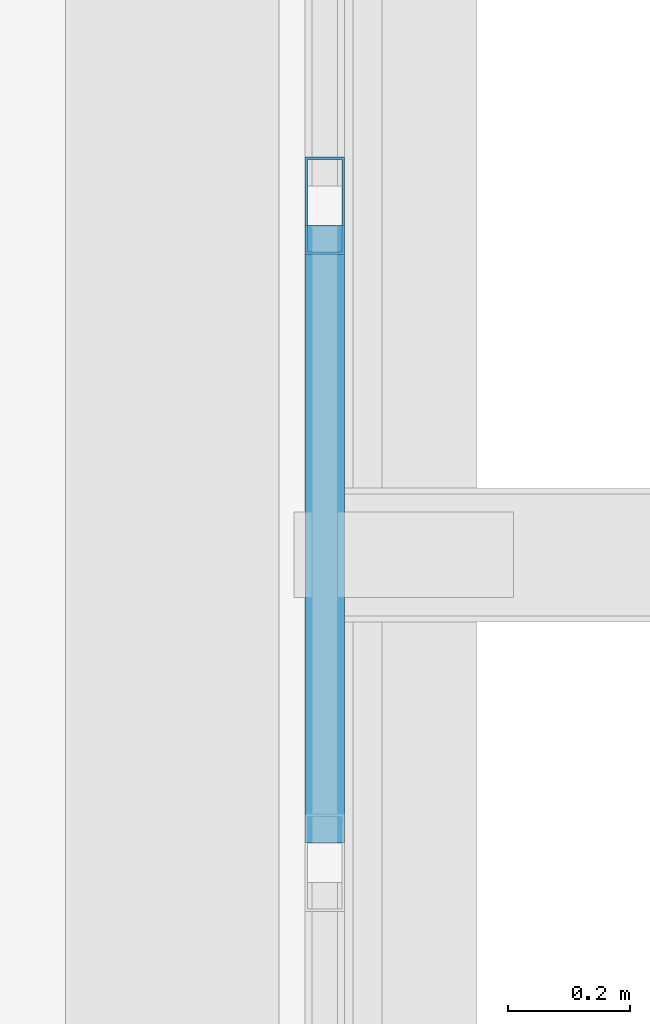
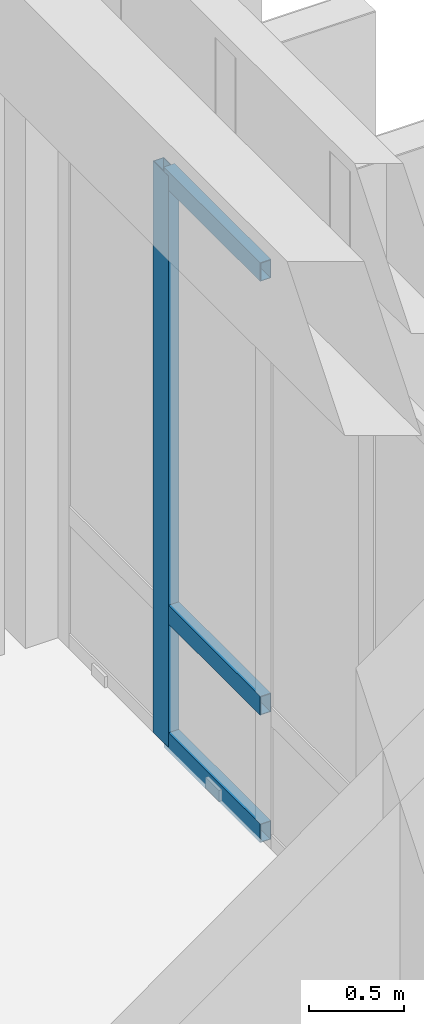
# One storey, part 81 of 133: 4 members, 1 element without a shape of its own.
"""IFC4 building model written with IfcOpenShell, lengths in metres."""

from ifc_helpers import new_model, si_unit, direction, frame, origin, origin_2d, place, context, subcontext, project, spatial, hollow_rectangle, extrude, material, layer, layer_set, material_profile, profile_set, type_object, element, aggregate, save


model = new_model("IFC4")

# Units and contexts
model_context = context("Model", 3, precision=1e-05, world=origin(), true_north=direction((0.0, 1.0)))
body_context = subcontext(model_context, "Body", "Model", "MODEL_VIEW")
ifc_project = project(units=[si_unit("LENGTHUNIT", "METRE"), si_unit("AREAUNIT", "SQUARE_METRE"), si_unit("VOLUMEUNIT", "CUBIC_METRE"), si_unit("PLANEANGLEUNIT", "RADIAN"), si_unit("MASSUNIT", "GRAM", prefix="KILO")], contexts=[model_context])

# Site, building, storey
site_placement = place(None, origin())
site = spatial("IfcSite", under=ifc_project, at=site_placement, CompositionType="ELEMENT")
building_placement = place(site_placement, origin())
building = spatial("IfcBuilding", under=site, at=building_placement, Name="Nakhvara Creek Congress Hotel", CompositionType="ELEMENT")
storey_placement = place(building_placement, frame((0.0, 0.0, 11.39990234375)))
storey = spatial("IfcBuildingStorey", under=building, at=storey_placement, Name="L02", CompositionType="ELEMENT", Elevation=11.39990234375)

# Curtain wall, members
ifc_material_1 = material(Name="Bronze-anodised aluminium AW-6063-T6 and double-silver low-E glass", Category="aluminium")
ifc_layer = layer(ifc_material_1, 0.199951171875)
ifc_layer_set = layer_set([ifc_layer], Name="Bronze-anodised aluminium AW-6063-T6 and double-silver low-E glass")
curtain_wall_type = type_object("IfcCurtainWallType", Name="CW-HTL-UNIT", PredefinedType="USERDEFINED", material=ifc_layer_set)
curtain_wall_placement = place(storey_placement, origin())
curtain_wall = element("IfcCurtainWall", 1, at=curtain_wall_placement, inside=storey, type_object=curtain_wall_type, Name="Curtain Wall CW145", ObjectType="UNITISED", PredefinedType="USERDEFINED")
ifc_material_2 = material(Name="Bronze-anodised aluminium AW-6063-T6", Category="aluminium")
ifc_material_profile_1 = material_profile(ifc_material_2, hollow_rectangle(XDim=0.06494140625, YDim=0.159912109375, WallThickness=0.00390625, at=origin_2d()), Name="ALU-MULL 65x160x4", Category="LoadBearing")
ifc_profile_set_1 = profile_set([ifc_material_profile_1], Name="Bronze-anodised aluminium AW-6063-T6")
member_type_1 = type_object("IfcMemberType", Name="CW-MULL-160", PredefinedType="MULLION", material=ifc_profile_set_1)
member_1_placement = place(storey_placement, frame((179.60009765625, 109.322509765625, 0.0), z_axis=(0.0, 0.0, 1.0), x_axis=(1.0, 0.0, 0.0)))
member_1 = element("IfcMember", 2, at=member_1_placement, type_object=member_type_1, Name="CW145 mullion 2", PredefinedType="MULLION", context=body_context, shape_type="SweptSolid", body=[
    extrude(hollow_rectangle(XDim=0.06494140625, YDim=0.159912109375, WallThickness=0.00390625, at=origin_2d()), origin(), (0.0, 0.0, 1.0), 3.662109375),
])
ifc_material_profile_2 = material_profile(ifc_material_2, hollow_rectangle(XDim=0.06494140625, YDim=0.1201171875, WallThickness=0.00390625, at=origin_2d()), Name="ALU-TRAN 65x120x4", Category="LoadBearing")
ifc_profile_set_2 = profile_set([ifc_material_profile_2], Name="Bronze-anodised aluminium AW-6063-T6")
member_type_2 = type_object("IfcMemberType", Name="CW-TRAN-120", PredefinedType="USERDEFINED", material=ifc_profile_set_2)
member_2_placement = place(storey_placement, frame((179.60009765625, 109.2900390625, 0.03271484375), z_axis=(0.0, -1.0, 0.0), x_axis=(1.0, 0.0, 0.0)))
member_2 = element("IfcMember", 3, at=member_2_placement, type_object=member_type_2, Name="CW145 transom 2.1", ObjectType="TRANSOM", PredefinedType="USERDEFINED", context=body_context, shape_type="SweptSolid", body=[
    extrude(hollow_rectangle(XDim=0.06494140625, YDim=0.1201171875, WallThickness=0.00390625, at=origin_2d()), origin(), (0.0, 0.0, 1.0), 1.012451171875),
])
member_3_placement = place(storey_placement, frame((179.60009765625, 109.2900390625, 0.85009765625), z_axis=(0.0, -1.0, 0.0), x_axis=(1.0, 0.0, 0.0)))
member_3 = element("IfcMember", 4, at=member_3_placement, type_object=member_type_2, Name="CW145 transom 2.2", ObjectType="TRANSOM", PredefinedType="USERDEFINED", context=body_context, shape_type="SweptSolid", body=[
    extrude(hollow_rectangle(XDim=0.06494140625, YDim=0.1201171875, WallThickness=0.00390625, at=origin_2d()), origin(), (0.0, 0.0, 1.0), 1.012451171875),
])
member_4_placement = place(storey_placement, frame((179.60009765625, 109.2900390625, 3.629638671875), z_axis=(0.0, -1.0, 0.0), x_axis=(1.0, 0.0, 0.0)))
member_4 = element("IfcMember", 5, at=member_4_placement, type_object=member_type_2, Name="CW145 transom 2.3", ObjectType="TRANSOM", PredefinedType="USERDEFINED", context=body_context, shape_type="SweptSolid", body=[
    extrude(hollow_rectangle(XDim=0.06494140625, YDim=0.1201171875, WallThickness=0.00390625, at=origin_2d()), origin(), (0.0, 0.0, 1.0), 1.012451171875),
])
aggregate(curtain_wall, [member_1, member_2, member_3, member_4])

save(model, "model.ifc")
